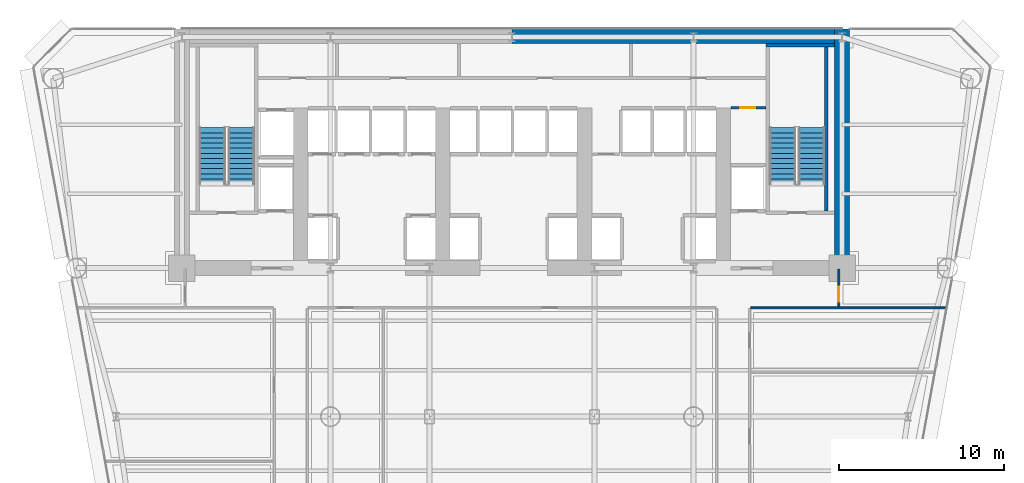
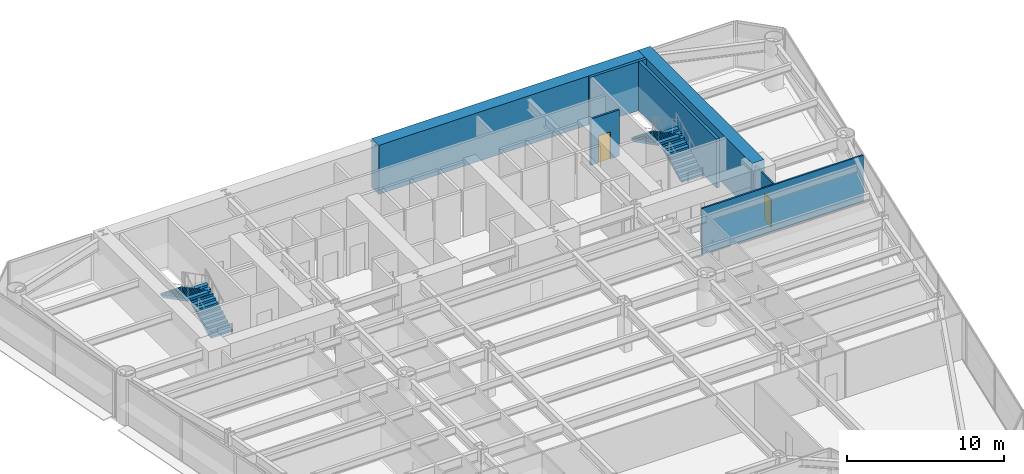
# One storey, part 10 of 14: 7 walls, 4 stair flights, 2 doors, 2 openings, 2 elements without a shape of their own.
"""IFC4 building model written with IfcOpenShell, lengths in metres."""

from ifc_helpers import new_model, si_unit, direction, frame, frame_2d, origin, place, context, subcontext, project, spatial, polyline, rectangle, outline, extrude, source, transform, mapped, material, layer, layer_set, type_object, element, fill, aggregate, save


model = new_model("IFC4")

# Units and contexts
model_context = context("Model", 3, precision=1e-05, world=origin(), true_north=direction((0.0, 1.0)))
body_context = subcontext(model_context, "Body", "Model", "MODEL_VIEW")
ifc_project = project(units=[si_unit("LENGTHUNIT", "METRE"), si_unit("AREAUNIT", "SQUARE_METRE"), si_unit("VOLUMEUNIT", "CUBIC_METRE"), si_unit("PLANEANGLEUNIT", "RADIAN"), si_unit("MASSUNIT", "GRAM", prefix="KILO")], contexts=[model_context])

# Site, building, storey
site_placement = place(None, origin())
site = spatial("IfcSite", under=ifc_project, at=site_placement, CompositionType="ELEMENT")
building_placement = place(site_placement, origin())
building = spatial("IfcBuilding", under=site, at=building_placement, Name="Vaeldorn Concourse Tower", CompositionType="ELEMENT")
storey_placement = place(building_placement, frame((0.0, 0.0, 53.0)))
storey = spatial("IfcBuildingStorey", under=building, at=storey_placement, Name="L13", CompositionType="ELEMENT", Elevation=53.0)

# Walls
ifc_material_1 = material(Name="Concrete C60/75", Category="concrete")
ifc_layer_1 = layer(ifc_material_1, 0.89990234375)
ifc_layer_set_1 = layer_set([ifc_layer_1], Name="Concrete C60/75")
wall_type_1 = type_object("IfcWallType", Name="WL-CORE-900", PredefinedType="SHEAR", material=ifc_layer_set_1)
wall_1_placement = place(storey_placement, frame((34.001953125, 50.550048828125, 0.0), z_axis=(0.0, 0.0, 1.0), x_axis=(1.0, 0.0, 0.0)))
element("IfcWall", 1, at=wall_1_placement, inside=storey, type_object=wall_type_1, Name="Rear Core Shear Wall L13 N2", PredefinedType="SHEAR", context=body_context, shape_type="SweptSolid", body=[
    extrude(rectangle(XDim=19.5439453125, YDim=0.89990234375, at=frame_2d((9.77197265625, 0.0))), origin(), (0.0, 0.0, 1.0), 3.800048828125),
])
wall_2_placement = place(storey_placement, frame((54.0, 36.5, 0.0), z_axis=(0.0, 0.0, 1.0), x_axis=(0.0, 1.0, 0.0)))
element("IfcWall", 2, at=wall_2_placement, inside=storey, type_object=wall_type_1, Name="Rear Core Shear Wall L13 E1", PredefinedType="SHEAR", context=body_context, shape_type="SweptSolid", body=[
    extrude(rectangle(XDim=14.5, YDim=0.89990234375, at=frame_2d((7.25, 0.0))), origin(), (0.0, 0.0, 1.0), 3.800048828125),
])
ifc_material_2 = material(Name="Gypsum Board Partition", Category="gypsum")
ifc_layer_2 = layer(ifc_material_2, 0.1201171875)
ifc_layer_set_2 = layer_set([ifc_layer_2], Name="Gypsum Board Partition")
wall_type_2 = type_object("IfcWallType", Name="WL-PART-120", PredefinedType="PARTITIONING", material=ifc_layer_set_2)
wall_3_placement = place(storey_placement, frame((48.4599609375, 34.10009765625, 0.0), z_axis=(0.0, 0.0, 1.0), x_axis=(1.0, 0.0, 0.0)))
element("IfcWall", 3, at=wall_3_placement, inside=storey, type_object=wall_type_2, Name="Interior Wall PW-L13-CEWE", PredefinedType="PARTITIONING", context=body_context, shape_type="SweptSolid", body=[
    extrude(rectangle(XDim=11.840576171875, YDim=0.1201171875, at=frame_2d((5.92041015625, 0.0))), origin(), (0.0, 0.0, 1.0), 3.580078125),
])

# Wall, opening, door
wall_4_placement = place(storey_placement, frame((53.800048828125, 34.159912109375, 0.0), z_axis=(0.0, 0.0, 1.0), x_axis=(0.0, 1.0, 0.0)))
wall_4 = element("IfcWall", 4, at=wall_4_placement, inside=storey, type_object=wall_type_2, Name="Interior Wall PW-L13-CEET", PredefinedType="PARTITIONING", context=body_context, shape_type="SweptSolid", body=[
    extrude(rectangle(XDim=2.280029296875, YDim=0.1201171875, at=frame_2d((1.14013671875, 0.0))), origin(), (0.0, 0.0, 1.0), 3.580078125),
])
opening_1_placement = place(wall_4_placement, frame((0.300048828125, 0.0, 0.0)))
opening_1 = element("IfcOpeningElement", 5, at=opening_1_placement, cuts=wall_4, Name="Opening D-03", PredefinedType="OPENING", context=body_context, shape_type="SweptSolid", body=[
    extrude(rectangle(XDim=0.89990234375, YDim=2.14990234375, at=frame_2d((0.449951171875, 1.074951171875))), frame((0.0, 0.070068359375, 0.0), z_axis=(0.0, -1.0, 0.0), x_axis=(1.0, 0.0, 0.0)), (0.0, 0.0, 1.0), 0.14013671875),
])
ifc_material_3 = material(Name="Acoustic Bronze-Framed Glass Door", Category="glass")
door_type_1 = type_object("IfcDoorType", Name="DR-INT-900", OperationType="NOTDEFINED", PredefinedType="DOOR", material=ifc_material_3)
shared_shape_1 = source(origin(), body_context, "Body", "SweptSolid", [
    extrude(rectangle(XDim=0.89990234375, YDim=2.14990234375, at=frame_2d((0.449951171875, 1.074951171875))), frame((0.0, 0.02490234375, 0.0), z_axis=(0.0, -1.0, 0.0), x_axis=(1.0, 0.0, 0.0)), (0.0, 0.0, 1.0), 0.050048828125),
])
door_1_placement = place(opening_1_placement, origin())
door_1 = element("IfcDoor", 6, at=door_1_placement, inside=storey, type_object=door_type_1, Name="Interior Door DR-L13-NE1", OperationType="SINGLE_SWING_RIGHT", OverallHeight=2.14990234375, OverallWidth=0.89990234375, PredefinedType="DOOR", context=body_context, shape_type="MappedRepresentation", body=[
    mapped(shared_shape_1, transform((0.0, 0.0, 0.0), scale=1.0)),
])
fill(opening_1, door_1)

ifc_layer_3 = layer(ifc_material_2, 0.14990234375)
ifc_layer_set_3 = layer_set([ifc_layer_3], Name="Gypsum Board Partition")
wall_type_3 = type_object("IfcWallType", Name="WL-PART-150", PredefinedType="PARTITIONING", material=ifc_layer_set_3)
wall_5_placement = place(storey_placement, frame((47.280029296875, 46.219970703125, 0.0), z_axis=(0.0, 0.0, 1.0), x_axis=(1.0, 0.0, 0.0)))
wall_5 = element("IfcWall", 7, at=wall_5_placement, inside=storey, type_object=wall_type_3, Name="Interior Wall CW-L13-CRSE-N", PredefinedType="PARTITIONING", context=body_context, shape_type="SweptSolid", body=[
    extrude(rectangle(XDim=2.099853515625, YDim=0.14990234375, at=frame_2d((1.0498046875, 0.0))), origin(), (0.0, 0.0, 1.0), 3.580078125),
])
opening_2_placement = place(wall_5_placement, frame((0.550048828125, 0.0, 0.0)))
opening_2 = element("IfcOpeningElement", 8, at=opening_2_placement, cuts=wall_5, Name="Opening D-02", PredefinedType="OPENING", context=body_context, shape_type="SweptSolid", body=[
    extrude(rectangle(XDim=0.89990234375, YDim=2.10009765625, at=frame_2d((0.449951171875, 1.050048828125))), frame((0.0, 0.0849609375, 0.0), z_axis=(0.0, -1.0, 0.0), x_axis=(1.0, 0.0, 0.0)), (0.0, 0.0, 1.0), 0.169921875),
])
ifc_material_4 = material(Name="Fire-Rated Timber Leaf", Category="wood")
door_type_2 = type_object("IfcDoorType", Name="DR-FD30-900", OperationType="NOTDEFINED", PredefinedType="DOOR", material=ifc_material_4)
shared_shape_2 = source(origin(), body_context, "Body", "SweptSolid", [
    extrude(rectangle(XDim=0.89990234375, YDim=2.10009765625, at=frame_2d((0.449951171875, 1.050048828125))), frame((0.0, 0.02490234375, 0.0), z_axis=(0.0, -1.0, 0.0), x_axis=(1.0, 0.0, 0.0)), (0.0, 0.0, 1.0), 0.050048828125),
])
door_2_placement = place(opening_2_placement, origin())
door_2 = element("IfcDoor", 9, at=door_2_placement, inside=storey, type_object=door_type_2, Name="Interior Door DR-L13-CRSE", OperationType="SINGLE_SWING_RIGHT", OverallHeight=2.10009765625, OverallWidth=0.89990234375, PredefinedType="DOOR", context=body_context, shape_type="MappedRepresentation", body=[
    mapped(shared_shape_2, transform((0.0, 0.0, 0.0), scale=1.0)),
])
fill(opening_2, door_2)

# Walls
ifc_material_5 = material(Name="Concrete C50/60", Category="concrete")
ifc_layer_4 = layer(ifc_material_5, 0.199951171875)
ifc_layer_set_4 = layer_set([ifc_layer_4], Name="Concrete C50/60")
wall_type_4 = type_object("IfcWallType", Name="WL-SHAFT-200", PredefinedType="SOLIDWALL", material=ifc_layer_set_4)
wall_6_placement = place(storey_placement, frame((49.39990234375, 50.0, 0.0), z_axis=(0.0, 0.0, 1.0), x_axis=(1.0, 0.0, 0.0)))
element("IfcWall", 10, at=wall_6_placement, inside=storey, type_object=wall_type_4, Name="Stair Shaft Wall CW-L13-ST-2-N", PredefinedType="SOLIDWALL", context=body_context, shape_type="SweptSolid", body=[
    extrude(rectangle(XDim=4.150146484375, YDim=0.199951171875, at=frame_2d((2.0751953125, 0.0))), origin(), (0.0, 0.0, 1.0), 3.800048828125),
])
wall_7_placement = place(storey_placement, frame((53.050048828125, 39.9599609375, 0.0), z_axis=(0.0, 0.0, 1.0), x_axis=(0.0, 1.0, 0.0)))
element("IfcWall", 11, at=wall_7_placement, inside=storey, type_object=wall_type_4, Name="Stair Shaft Wall CW-L13-ST-2-E", PredefinedType="SOLIDWALL", context=body_context, shape_type="SweptSolid", body=[
    extrude(rectangle(XDim=9.929931640625, YDim=0.199951171875, at=frame_2d((4.96484375, 0.0))), origin(), (0.0, 0.0, 1.0), 3.800048828125),
])

# Stair, stair flights
ifc_material_6 = material(Name="Precast concrete C40/50", Category="concrete")
stair_type = type_object("IfcStairType", Name="STR-DOG-24x158", PredefinedType="HALF_TURN_STAIR", material=ifc_material_6)
stair_1_placement = place(storey_placement, origin())
stair_1 = element("IfcStair", 12, at=stair_1_placement, inside=storey, type_object=stair_type, Name="L13 West Core Exit Stair ST-1", PredefinedType="HALF_TURN_STAIR")
stair_flight_type = type_object("IfcStairFlightType", Name="STF-STR-12x158", PredefinedType="STRAIGHT", material=ifc_material_6)
stair_flight_1_placement = place(storey_placement, frame((17.60009765625, 41.60009765625, 0.0), z_axis=(0.0, 0.0, 1.0), x_axis=(0.0, 1.0, 0.0)))
stair_flight_1 = element("IfcStairFlight", 13, at=stair_flight_1_placement, type_object=stair_flight_type, Name="ST-1 flight 1", NumberOfRisers=12, NumberOfTreads=11, PredefinedType="STRAIGHT", RiserHeight=0.158333333, TreadLength=0.31, context=body_context, shape_type="SweptSolid", body=[
    extrude(outline(polyline([(0.0, 0.0), (0.0, 0.158447265625), (0.31005859375, 0.158447265625), (0.31005859375, 0.316650390625), (0.6201171875, 0.316650390625), (0.6201171875, 0.47509765625), (0.929931640625, 0.47509765625), (0.929931640625, 0.63330078125), (1.239990234375, 0.63330078125), (1.239990234375, 0.791748046875), (1.550048828125, 0.791748046875), (1.550048828125, 0.949951171875), (1.860107421875, 0.949951171875), (1.860107421875, 1.1083984375), (2.169921875, 1.1083984375), (2.169921875, 1.2666015625), (2.47998046875, 1.2666015625), (2.47998046875, 1.425048828125), (2.7900390625, 1.425048828125), (2.7900390625, 1.583251953125), (3.10009765625, 1.583251953125), (3.10009765625, 1.74169921875), (3.409912109375, 1.74169921875), (3.409912109375, 1.89990234375), (3.409912109375, 1.5732421875), (0.32958984375, 0.0), (0.0, 0.0)])), frame((0.0, 0.800048828125, 0.0), z_axis=(0.0, -1.0, 0.0), x_axis=(1.0, 0.0, 0.0)), (0.0, 0.0, 1.0), 1.60009765625),
])
stair_flight_2_placement = place(storey_placement, frame((15.85009765625, 45.010009765625, 1.89990234375), z_axis=(0.0, 0.0, 1.0), x_axis=(0.0, -1.0, 0.0)))
stair_flight_2 = element("IfcStairFlight", 14, at=stair_flight_2_placement, type_object=stair_flight_type, Name="ST-1 flight 2", NumberOfRisers=12, NumberOfTreads=11, PredefinedType="STRAIGHT", RiserHeight=0.158333333, TreadLength=0.31, context=body_context, shape_type="SweptSolid", body=[
    extrude(outline(polyline([(0.0, 0.0), (0.0, 0.158447265625), (0.31005859375, 0.158447265625), (0.31005859375, 0.316650390625), (0.6201171875, 0.316650390625), (0.6201171875, 0.47509765625), (0.929931640625, 0.47509765625), (0.929931640625, 0.63330078125), (1.239990234375, 0.63330078125), (1.239990234375, 0.791748046875), (1.550048828125, 0.791748046875), (1.550048828125, 0.949951171875), (1.860107421875, 0.949951171875), (1.860107421875, 1.1083984375), (2.169921875, 1.1083984375), (2.169921875, 1.2666015625), (2.47998046875, 1.2666015625), (2.47998046875, 1.425048828125), (2.7900390625, 1.425048828125), (2.7900390625, 1.583251953125), (3.10009765625, 1.583251953125), (3.10009765625, 1.74169921875), (3.409912109375, 1.74169921875), (3.409912109375, 1.89990234375), (3.409912109375, 1.5732421875), (0.32958984375, 0.0), (0.0, 0.0)])), frame((0.0, 0.800048828125, 0.0), z_axis=(0.0, -1.0, 0.0), x_axis=(1.0, 0.0, 0.0)), (0.0, 0.0, 1.0), 1.60009765625),
])
aggregate(stair_1, [stair_flight_1, stair_flight_2])

stair_2_placement = place(storey_placement, origin())
stair_2 = element("IfcStair", 15, at=stair_2_placement, inside=storey, type_object=stair_type, Name="L13 East Core Exit Stair ST-2", PredefinedType="HALF_TURN_STAIR")
stair_flight_3_placement = place(storey_placement, frame((52.14990234375, 41.60009765625, 0.0), z_axis=(0.0, 0.0, 1.0), x_axis=(0.0, 1.0, 0.0)))
stair_flight_3 = element("IfcStairFlight", 16, at=stair_flight_3_placement, type_object=stair_flight_type, Name="ST-2 flight 1", NumberOfRisers=12, NumberOfTreads=11, PredefinedType="STRAIGHT", RiserHeight=0.158333333, TreadLength=0.31, context=body_context, shape_type="SweptSolid", body=[
    extrude(outline(polyline([(0.0, 0.0), (0.0, 0.158447265625), (0.31005859375, 0.158447265625), (0.31005859375, 0.316650390625), (0.6201171875, 0.316650390625), (0.6201171875, 0.47509765625), (0.929931640625, 0.47509765625), (0.929931640625, 0.63330078125), (1.239990234375, 0.63330078125), (1.239990234375, 0.791748046875), (1.550048828125, 0.791748046875), (1.550048828125, 0.949951171875), (1.860107421875, 0.949951171875), (1.860107421875, 1.1083984375), (2.169921875, 1.1083984375), (2.169921875, 1.2666015625), (2.47998046875, 1.2666015625), (2.47998046875, 1.425048828125), (2.7900390625, 1.425048828125), (2.7900390625, 1.583251953125), (3.10009765625, 1.583251953125), (3.10009765625, 1.74169921875), (3.409912109375, 1.74169921875), (3.409912109375, 1.89990234375), (3.409912109375, 1.5732421875), (0.32958984375, 0.0), (0.0, 0.0)])), frame((0.0, 0.800048828125, 0.0), z_axis=(0.0, -1.0, 0.0), x_axis=(1.0, 0.0, 0.0)), (0.0, 0.0, 1.0), 1.60009765625),
])
stair_flight_4_placement = place(storey_placement, frame((50.39990234375, 45.010009765625, 1.89990234375), z_axis=(0.0, 0.0, 1.0), x_axis=(0.0, -1.0, 0.0)))
stair_flight_4 = element("IfcStairFlight", 17, at=stair_flight_4_placement, type_object=stair_flight_type, Name="ST-2 flight 2", NumberOfRisers=12, NumberOfTreads=11, PredefinedType="STRAIGHT", RiserHeight=0.158333333, TreadLength=0.31, context=body_context, shape_type="SweptSolid", body=[
    extrude(outline(polyline([(0.0, 0.0), (0.0, 0.158447265625), (0.31005859375, 0.158447265625), (0.31005859375, 0.316650390625), (0.6201171875, 0.316650390625), (0.6201171875, 0.47509765625), (0.929931640625, 0.47509765625), (0.929931640625, 0.63330078125), (1.239990234375, 0.63330078125), (1.239990234375, 0.791748046875), (1.550048828125, 0.791748046875), (1.550048828125, 0.949951171875), (1.860107421875, 0.949951171875), (1.860107421875, 1.1083984375), (2.169921875, 1.1083984375), (2.169921875, 1.2666015625), (2.47998046875, 1.2666015625), (2.47998046875, 1.425048828125), (2.7900390625, 1.425048828125), (2.7900390625, 1.583251953125), (3.10009765625, 1.583251953125), (3.10009765625, 1.74169921875), (3.409912109375, 1.74169921875), (3.409912109375, 1.89990234375), (3.409912109375, 1.5732421875), (0.32958984375, 0.0), (0.0, 0.0)])), frame((0.0, 0.800048828125, 0.0), z_axis=(0.0, -1.0, 0.0), x_axis=(1.0, 0.0, 0.0)), (0.0, 0.0, 1.0), 1.60009765625),
])
aggregate(stair_2, [stair_flight_3, stair_flight_4])

save(model, "model.ifc")
